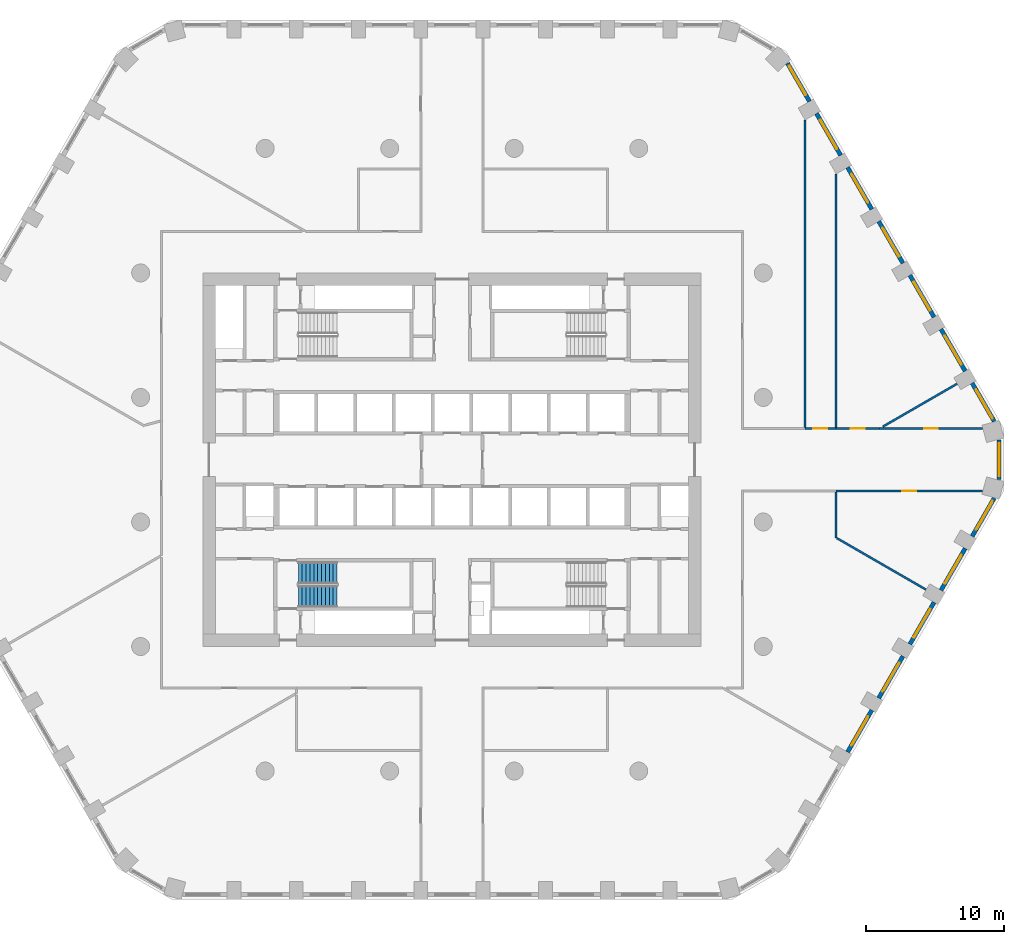
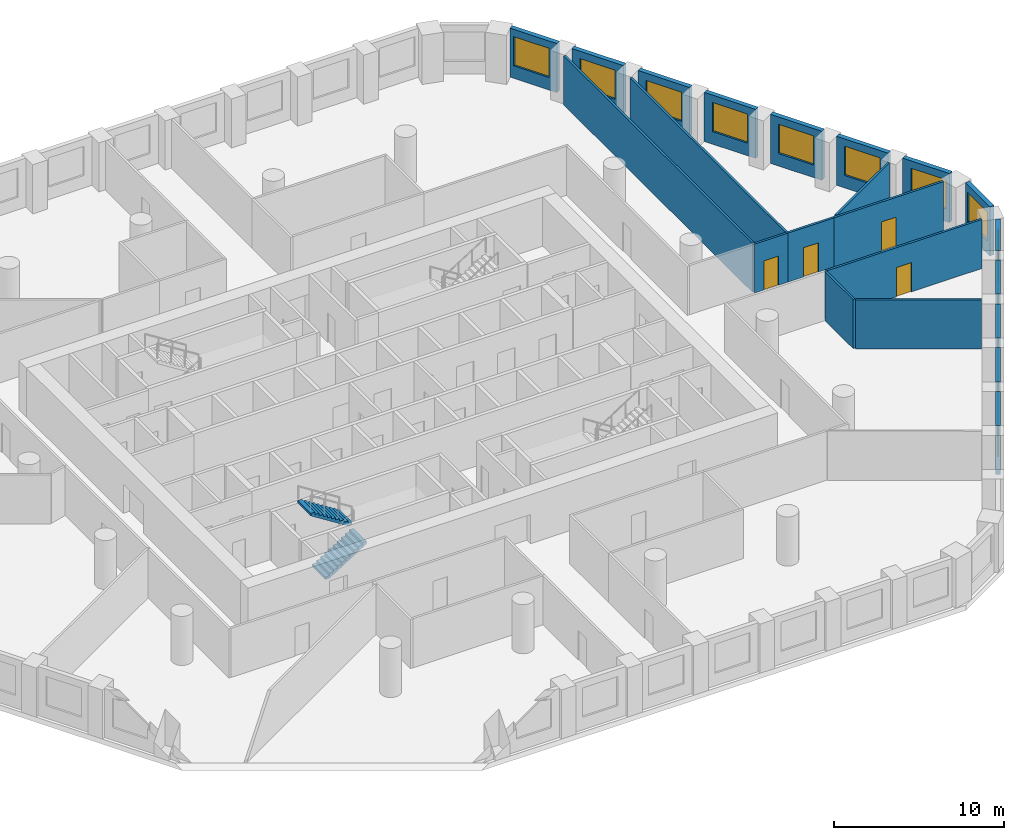
# One storey, part 8 of 10: 22 walls, 13 windows, 4 doors, 2 stair flights, 17 openings, 1 element without a shape of its own.
"""IFC4 building model written with IfcOpenShell, lengths in metres."""

from ifc_helpers import new_model, si_unit, direction, frame, frame_2d, origin, place, context, subcontext, project, spatial, polyline, rectangle, outline, extrude, material, layer, layer_set, type_object, element, fill, aggregate, save


model = new_model("IFC4")

# Units and contexts
model_context = context("Model", 3, precision=1e-05, world=origin(), true_north=direction((0.0, 1.0)))
body_context = subcontext(model_context, "Body", "Model", "MODEL_VIEW")
ifc_project = project(units=[si_unit("LENGTHUNIT", "METRE"), si_unit("AREAUNIT", "SQUARE_METRE"), si_unit("VOLUMEUNIT", "CUBIC_METRE"), si_unit("PLANEANGLEUNIT", "RADIAN"), si_unit("MASSUNIT", "GRAM", prefix="KILO")], contexts=[model_context])

# Site, building, storey
site_placement = place(None, origin())
site = spatial("IfcSite", under=ifc_project, at=site_placement, CompositionType="ELEMENT")
building_placement = place(site_placement, origin())
building = spatial("IfcBuilding", under=site, at=building_placement, Name="Dhurran Vertical Campus", CompositionType="ELEMENT")
storey_placement = place(building_placement, frame((0.0, 0.0, 85.199951171875)))
storey = spatial("IfcBuildingStorey", under=building, at=storey_placement, Name="L20", CompositionType="ELEMENT", Elevation=85.199951171875)

# Wall, opening, window
ifc_material_1 = material(Name="Precast concrete C50/60", Category="concrete")
ifc_layer_1 = layer(ifc_material_1, 0.300048828125)
ifc_layer_set_1 = layer_set([ifc_layer_1], Name="Precast concrete C50/60")
wall_type_1 = type_object("IfcWallType", Name="Precast spandrel wall 300", PredefinedType="SOLIDWALL", material=ifc_layer_set_1)
wall_1_placement = place(storey_placement, frame((28.59423828125, -21.127197265625, 0.0), z_axis=(0.0, 0.0, 1.0), x_axis=(0.499996256241, 0.866027565234, 0.0)))
wall_1 = element("IfcWall", 1, at=wall_1_placement, inside=storey, type_object=wall_type_1, Name="EW1 L20.12", PredefinedType="SOLIDWALL", context=body_context, shape_type="SweptSolid", body=[
    extrude(rectangle(XDim=3.4990234375, YDim=0.300048828125, at=frame_2d((1.74951171875, 0.0))), origin(), (0.0, 0.0, 1.0), 3.525146484375),
])
opening_1_placement = place(wall_1_placement, frame((0.549560546875, 0.0, 0.89990234375)))
opening_1 = element("IfcOpeningElement", 2, at=opening_1_placement, cuts=wall_1, Name="Opening WT1", PredefinedType="OPENING", context=body_context, shape_type="SweptSolid", body=[
    extrude(rectangle(XDim=2.39990234375, YDim=2.10009765625, at=frame_2d((1.199951171875, 1.050048828125))), frame((0.0, 0.159912109375, 0.0), z_axis=(0.0, -1.0, 0.0), x_axis=(1.0, 0.0, 0.0)), (0.0, 0.0, 1.0), 0.320068359375),
])
ifc_material_2 = material(Name="Aluminium frame with solar-control glass", Category="aluminium")
window_type = type_object("IfcWindowType", Name="Punched window 2400 x 2100", PartitioningType="SINGLE_PANEL", PredefinedType="WINDOW", material=ifc_material_2)
window_1_placement = place(opening_1_placement, origin())
window_1 = element("IfcWindow", 3, at=window_1_placement, inside=storey, type_object=window_type, Name="WT1 L20.12", OverallHeight=2.10009765625, OverallWidth=2.39990234375, PartitioningType="SINGLE_PANEL", PredefinedType="WINDOW", context=body_context, shape_type="SweptSolid", body=[
    extrude(rectangle(XDim=2.39990234375, YDim=2.10009765625, at=frame_2d((1.199951171875, 1.050048828125))), frame((0.0, 0.030029296875, 0.0), z_axis=(0.0, -1.0, 0.0), x_axis=(1.0, 0.0, 0.0)), (0.0, 0.0, 1.0), 0.06005859375),
])
fill(opening_1, window_1)

wall_2_placement = place(storey_placement, frame((30.84423828125, -17.22998046875, 0.0), z_axis=(0.0, 0.0, 1.0), x_axis=(0.499996256241, 0.866027565234, 0.0)))
wall_2 = element("IfcWall", 4, at=wall_2_placement, inside=storey, type_object=wall_type_1, Name="EW1 L20.13", PredefinedType="SOLIDWALL", context=body_context, shape_type="SweptSolid", body=[
    extrude(rectangle(XDim=3.4990234375, YDim=0.300048828125, at=frame_2d((1.74951171875, 0.0))), origin(), (0.0, 0.0, 1.0), 3.525146484375),
])
opening_2_placement = place(wall_2_placement, frame((0.549560546875, 0.0, 0.89990234375)))
opening_2 = element("IfcOpeningElement", 5, at=opening_2_placement, cuts=wall_2, Name="Opening WT1", PredefinedType="OPENING", context=body_context, shape_type="SweptSolid", body=[
    extrude(rectangle(XDim=2.39990234375, YDim=2.10009765625, at=frame_2d((1.199951171875, 1.050048828125))), frame((0.0, 0.159912109375, 0.0), z_axis=(0.0, -1.0, 0.0), x_axis=(1.0, 0.0, 0.0)), (0.0, 0.0, 1.0), 0.320068359375),
])
window_2_placement = place(opening_2_placement, origin())
window_2 = element("IfcWindow", 6, at=window_2_placement, inside=storey, type_object=window_type, Name="WT1 L20.13", OverallHeight=2.10009765625, OverallWidth=2.39990234375, PartitioningType="SINGLE_PANEL", PredefinedType="WINDOW", context=body_context, shape_type="SweptSolid", body=[
    extrude(rectangle(XDim=2.39990234375, YDim=2.10009765625, at=frame_2d((1.199951171875, 1.050048828125))), frame((0.0, 0.030029296875, 0.0), z_axis=(0.0, -1.0, 0.0), x_axis=(1.0, 0.0, 0.0)), (0.0, 0.0, 1.0), 0.06005859375),
])
fill(opening_2, window_2)

wall_3_placement = place(storey_placement, frame((33.09423828125, -13.3330078125, 0.0), z_axis=(0.0, 0.0, 1.0), x_axis=(0.499996256241, 0.866027565234, 0.0)))
wall_3 = element("IfcWall", 7, at=wall_3_placement, inside=storey, type_object=wall_type_1, Name="EW1 L20.14", PredefinedType="SOLIDWALL", context=body_context, shape_type="SweptSolid", body=[
    extrude(rectangle(XDim=3.4990234375, YDim=0.300048828125, at=frame_2d((1.74951171875, 0.0))), origin(), (0.0, 0.0, 1.0), 3.525146484375),
])
opening_3_placement = place(wall_3_placement, frame((0.549560546875, 0.0, 0.89990234375)))
opening_3 = element("IfcOpeningElement", 8, at=opening_3_placement, cuts=wall_3, Name="Opening WT1", PredefinedType="OPENING", context=body_context, shape_type="SweptSolid", body=[
    extrude(rectangle(XDim=2.39990234375, YDim=2.10009765625, at=frame_2d((1.199951171875, 1.050048828125))), frame((0.0, 0.159912109375, 0.0), z_axis=(0.0, -1.0, 0.0), x_axis=(1.0, 0.0, 0.0)), (0.0, 0.0, 1.0), 0.320068359375),
])
window_3_placement = place(opening_3_placement, origin())
window_3 = element("IfcWindow", 9, at=window_3_placement, inside=storey, type_object=window_type, Name="WT1 L20.14", OverallHeight=2.10009765625, OverallWidth=2.39990234375, PartitioningType="SINGLE_PANEL", PredefinedType="WINDOW", context=body_context, shape_type="SweptSolid", body=[
    extrude(rectangle(XDim=2.39990234375, YDim=2.10009765625, at=frame_2d((1.199951171875, 1.050048828125))), frame((0.0, 0.030029296875, 0.0), z_axis=(0.0, -1.0, 0.0), x_axis=(1.0, 0.0, 0.0)), (0.0, 0.0, 1.0), 0.06005859375),
])
fill(opening_3, window_3)

wall_4_placement = place(storey_placement, frame((35.34423828125, -9.435791015625, 0.0), z_axis=(0.0, 0.0, 1.0), x_axis=(0.499996256241, 0.866027565234, 0.0)))
wall_4 = element("IfcWall", 10, at=wall_4_placement, inside=storey, type_object=wall_type_1, Name="EW1 L20.15", PredefinedType="SOLIDWALL", context=body_context, shape_type="SweptSolid", body=[
    extrude(rectangle(XDim=3.4990234375, YDim=0.300048828125, at=frame_2d((1.74951171875, 0.0))), origin(), (0.0, 0.0, 1.0), 3.525146484375),
])
opening_4_placement = place(wall_4_placement, frame((0.549560546875, 0.0, 0.89990234375)))
opening_4 = element("IfcOpeningElement", 11, at=opening_4_placement, cuts=wall_4, Name="Opening WT1", PredefinedType="OPENING", context=body_context, shape_type="SweptSolid", body=[
    extrude(rectangle(XDim=2.39990234375, YDim=2.10009765625, at=frame_2d((1.199951171875, 1.050048828125))), frame((0.0, 0.159912109375, 0.0), z_axis=(0.0, -1.0, 0.0), x_axis=(1.0, 0.0, 0.0)), (0.0, 0.0, 1.0), 0.320068359375),
])
window_4_placement = place(opening_4_placement, origin())
window_4 = element("IfcWindow", 12, at=window_4_placement, inside=storey, type_object=window_type, Name="WT1 L20.15", OverallHeight=2.10009765625, OverallWidth=2.39990234375, PartitioningType="SINGLE_PANEL", PredefinedType="WINDOW", context=body_context, shape_type="SweptSolid", body=[
    extrude(rectangle(XDim=2.39990234375, YDim=2.10009765625, at=frame_2d((1.199951171875, 1.050048828125))), frame((0.0, 0.030029296875, 0.0), z_axis=(0.0, -1.0, 0.0), x_axis=(1.0, 0.0, 0.0)), (0.0, 0.0, 1.0), 0.06005859375),
])
fill(opening_4, window_4)

wall_5_placement = place(storey_placement, frame((37.59423828125, -5.538818359375, 0.0), z_axis=(0.0, 0.0, 1.0), x_axis=(0.500004907028, 0.866022570692, 0.0)))
wall_5 = element("IfcWall", 13, at=wall_5_placement, inside=storey, type_object=wall_type_1, Name="EW1 L20.16", PredefinedType="SOLIDWALL", context=body_context, shape_type="SweptSolid", body=[
    extrude(rectangle(XDim=3.1923828125, YDim=0.300048828125, at=frame_2d((1.59619140625, 0.0))), origin(), (0.0, 0.0, 1.0), 3.525146484375),
])
opening_5_placement = place(wall_5_placement, frame((0.549560546875, 0.0, 0.89990234375)))
opening_5 = element("IfcOpeningElement", 14, at=opening_5_placement, cuts=wall_5, Name="Opening WT1", PredefinedType="OPENING", context=body_context, shape_type="SweptSolid", body=[
    extrude(rectangle(XDim=2.39990234375, YDim=2.10009765625, at=frame_2d((1.199951171875, 1.050048828125))), frame((0.0, 0.159912109375, 0.0), z_axis=(0.0, -1.0, 0.0), x_axis=(1.0, 0.0, 0.0)), (0.0, 0.0, 1.0), 0.320068359375),
])
window_5_placement = place(opening_5_placement, origin())
window_5 = element("IfcWindow", 15, at=window_5_placement, inside=storey, type_object=window_type, Name="WT1 L20.16", OverallHeight=2.10009765625, OverallWidth=2.39990234375, PartitioningType="SINGLE_PANEL", PredefinedType="WINDOW", context=body_context, shape_type="SweptSolid", body=[
    extrude(rectangle(XDim=2.39990234375, YDim=2.10009765625, at=frame_2d((1.199951171875, 1.050048828125))), frame((0.0, 0.030029296875, 0.0), z_axis=(0.0, -1.0, 0.0), x_axis=(1.0, 0.0, 0.0)), (0.0, 0.0, 1.0), 0.06005859375),
])
fill(opening_5, window_5)

wall_6_placement = place(storey_placement, frame((39.547119140625, -1.44287109375, 0.0), z_axis=(0.0, 0.0, 1.0), x_axis=(0.0, 1.0, 0.0)))
wall_6 = element("IfcWall", 16, at=wall_6_placement, inside=storey, type_object=wall_type_1, Name="EW1 L20.17", PredefinedType="SOLIDWALL", context=body_context, shape_type="SweptSolid", body=[
    extrude(rectangle(XDim=2.8857421875, YDim=0.300048828125, at=frame_2d((1.44287109375, 0.0))), origin(), (0.0, 0.0, 1.0), 3.525146484375),
])
opening_6_placement = place(wall_6_placement, frame((0.242919921875, 0.0, 0.89990234375)))
opening_6 = element("IfcOpeningElement", 17, at=opening_6_placement, cuts=wall_6, Name="Opening WT1", PredefinedType="OPENING", context=body_context, shape_type="SweptSolid", body=[
    extrude(rectangle(XDim=2.39990234375, YDim=2.10009765625, at=frame_2d((1.199951171875, 1.050048828125))), frame((0.0, 0.159912109375, 0.0), z_axis=(0.0, -1.0, 0.0), x_axis=(1.0, 0.0, 0.0)), (0.0, 0.0, 1.0), 0.320068359375),
])
window_6_placement = place(opening_6_placement, origin())
window_6 = element("IfcWindow", 18, at=window_6_placement, inside=storey, type_object=window_type, Name="WT1 L20.17", OverallHeight=2.10009765625, OverallWidth=2.39990234375, PartitioningType="SINGLE_PANEL", PredefinedType="WINDOW", context=body_context, shape_type="SweptSolid", body=[
    extrude(rectangle(XDim=2.39990234375, YDim=2.10009765625, at=frame_2d((1.199951171875, 1.050048828125))), frame((0.0, 0.030029296875, 0.0), z_axis=(0.0, -1.0, 0.0), x_axis=(1.0, 0.0, 0.0)), (0.0, 0.0, 1.0), 0.06005859375),
])
fill(opening_6, window_6)

wall_7_placement = place(storey_placement, frame((39.1904296875, 2.774169921875, 0.0), z_axis=(0.0, 0.0, 1.0), x_axis=(-0.500004907028, 0.866022570692, 0.0)))
wall_7 = element("IfcWall", 19, at=wall_7_placement, inside=storey, type_object=wall_type_1, Name="EW1 L20.18", PredefinedType="SOLIDWALL", context=body_context, shape_type="SweptSolid", body=[
    extrude(rectangle(XDim=3.1923828125, YDim=0.300048828125, at=frame_2d((1.59619140625, 0.0))), origin(), (0.0, 0.0, 1.0), 3.525146484375),
])
opening_7_placement = place(wall_7_placement, frame((0.242919921875, 0.0, 0.89990234375)))
opening_7 = element("IfcOpeningElement", 20, at=opening_7_placement, cuts=wall_7, Name="Opening WT1", PredefinedType="OPENING", context=body_context, shape_type="SweptSolid", body=[
    extrude(rectangle(XDim=2.39990234375, YDim=2.10009765625, at=frame_2d((1.199951171875, 1.050048828125))), frame((0.0, 0.159912109375, 0.0), z_axis=(0.0, -1.0, 0.0), x_axis=(1.0, 0.0, 0.0)), (0.0, 0.0, 1.0), 0.320068359375),
])
window_7_placement = place(opening_7_placement, origin())
window_7 = element("IfcWindow", 21, at=window_7_placement, inside=storey, type_object=window_type, Name="WT1 L20.18", OverallHeight=2.10009765625, OverallWidth=2.39990234375, PartitioningType="SINGLE_PANEL", PredefinedType="WINDOW", context=body_context, shape_type="SweptSolid", body=[
    extrude(rectangle(XDim=2.39990234375, YDim=2.10009765625, at=frame_2d((1.199951171875, 1.050048828125))), frame((0.0, 0.030029296875, 0.0), z_axis=(0.0, -1.0, 0.0), x_axis=(1.0, 0.0, 0.0)), (0.0, 0.0, 1.0), 0.06005859375),
])
fill(opening_7, window_7)

wall_8_placement = place(storey_placement, frame((37.09375, 6.405517578125, 0.0), z_axis=(0.0, 0.0, 1.0), x_axis=(-0.499996256241, 0.866027565234, 0.0)))
wall_8 = element("IfcWall", 22, at=wall_8_placement, inside=storey, type_object=wall_type_1, Name="EW1 L20.19", PredefinedType="SOLIDWALL", context=body_context, shape_type="SweptSolid", body=[
    extrude(rectangle(XDim=3.4990234375, YDim=0.300048828125, at=frame_2d((1.74951171875, 0.0))), origin(), (0.0, 0.0, 1.0), 3.525146484375),
])
opening_8_placement = place(wall_8_placement, frame((0.549560546875, 0.0, 0.89990234375)))
opening_8 = element("IfcOpeningElement", 23, at=opening_8_placement, cuts=wall_8, Name="Opening WT1", PredefinedType="OPENING", context=body_context, shape_type="SweptSolid", body=[
    extrude(rectangle(XDim=2.39990234375, YDim=2.10009765625, at=frame_2d((1.199951171875, 1.050048828125))), frame((0.0, 0.159912109375, 0.0), z_axis=(0.0, -1.0, 0.0), x_axis=(1.0, 0.0, 0.0)), (0.0, 0.0, 1.0), 0.320068359375),
])
window_8_placement = place(opening_8_placement, origin())
window_8 = element("IfcWindow", 24, at=window_8_placement, inside=storey, type_object=window_type, Name="WT1 L20.19", OverallHeight=2.10009765625, OverallWidth=2.39990234375, PartitioningType="SINGLE_PANEL", PredefinedType="WINDOW", context=body_context, shape_type="SweptSolid", body=[
    extrude(rectangle(XDim=2.39990234375, YDim=2.10009765625, at=frame_2d((1.199951171875, 1.050048828125))), frame((0.0, 0.030029296875, 0.0), z_axis=(0.0, -1.0, 0.0), x_axis=(1.0, 0.0, 0.0)), (0.0, 0.0, 1.0), 0.06005859375),
])
fill(opening_8, window_8)

wall_9_placement = place(storey_placement, frame((34.84375, 10.302734375, 0.0), z_axis=(0.0, 0.0, 1.0), x_axis=(-0.499996256241, 0.866027565234, 0.0)))
wall_9 = element("IfcWall", 25, at=wall_9_placement, inside=storey, type_object=wall_type_1, Name="EW1 L20.20", PredefinedType="SOLIDWALL", context=body_context, shape_type="SweptSolid", body=[
    extrude(rectangle(XDim=3.4990234375, YDim=0.300048828125, at=frame_2d((1.74951171875, 0.0))), origin(), (0.0, 0.0, 1.0), 3.525146484375),
])
opening_9_placement = place(wall_9_placement, frame((0.549560546875, 0.0, 0.89990234375)))
opening_9 = element("IfcOpeningElement", 26, at=opening_9_placement, cuts=wall_9, Name="Opening WT1", PredefinedType="OPENING", context=body_context, shape_type="SweptSolid", body=[
    extrude(rectangle(XDim=2.39990234375, YDim=2.10009765625, at=frame_2d((1.199951171875, 1.050048828125))), frame((0.0, 0.159912109375, 0.0), z_axis=(0.0, -1.0, 0.0), x_axis=(1.0, 0.0, 0.0)), (0.0, 0.0, 1.0), 0.320068359375),
])
window_9_placement = place(opening_9_placement, origin())
window_9 = element("IfcWindow", 27, at=window_9_placement, inside=storey, type_object=window_type, Name="WT1 L20.20", OverallHeight=2.10009765625, OverallWidth=2.39990234375, PartitioningType="SINGLE_PANEL", PredefinedType="WINDOW", context=body_context, shape_type="SweptSolid", body=[
    extrude(rectangle(XDim=2.39990234375, YDim=2.10009765625, at=frame_2d((1.199951171875, 1.050048828125))), frame((0.0, 0.030029296875, 0.0), z_axis=(0.0, -1.0, 0.0), x_axis=(1.0, 0.0, 0.0)), (0.0, 0.0, 1.0), 0.06005859375),
])
fill(opening_9, window_9)

wall_10_placement = place(storey_placement, frame((32.59375, 14.19970703125, 0.0), z_axis=(0.0, 0.0, 1.0), x_axis=(-0.499996256241, 0.866027565234, 0.0)))
wall_10 = element("IfcWall", 28, at=wall_10_placement, inside=storey, type_object=wall_type_1, Name="EW1 L20.21", PredefinedType="SOLIDWALL", context=body_context, shape_type="SweptSolid", body=[
    extrude(rectangle(XDim=3.4990234375, YDim=0.300048828125, at=frame_2d((1.74951171875, 0.0))), origin(), (0.0, 0.0, 1.0), 3.525146484375),
])
opening_10_placement = place(wall_10_placement, frame((0.549560546875, 0.0, 0.89990234375)))
opening_10 = element("IfcOpeningElement", 29, at=opening_10_placement, cuts=wall_10, Name="Opening WT1", PredefinedType="OPENING", context=body_context, shape_type="SweptSolid", body=[
    extrude(rectangle(XDim=2.39990234375, YDim=2.10009765625, at=frame_2d((1.199951171875, 1.050048828125))), frame((0.0, 0.159912109375, 0.0), z_axis=(0.0, -1.0, 0.0), x_axis=(1.0, 0.0, 0.0)), (0.0, 0.0, 1.0), 0.320068359375),
])
window_10_placement = place(opening_10_placement, origin())
window_10 = element("IfcWindow", 30, at=window_10_placement, inside=storey, type_object=window_type, Name="WT1 L20.21", OverallHeight=2.10009765625, OverallWidth=2.39990234375, PartitioningType="SINGLE_PANEL", PredefinedType="WINDOW", context=body_context, shape_type="SweptSolid", body=[
    extrude(rectangle(XDim=2.39990234375, YDim=2.10009765625, at=frame_2d((1.199951171875, 1.050048828125))), frame((0.0, 0.030029296875, 0.0), z_axis=(0.0, -1.0, 0.0), x_axis=(1.0, 0.0, 0.0)), (0.0, 0.0, 1.0), 0.06005859375),
])
fill(opening_10, window_10)

wall_11_placement = place(storey_placement, frame((30.34375, 18.096923828125, 0.0), z_axis=(0.0, 0.0, 1.0), x_axis=(-0.499996256241, 0.866027565234, 0.0)))
wall_11 = element("IfcWall", 31, at=wall_11_placement, inside=storey, type_object=wall_type_1, Name="EW1 L20.22", PredefinedType="SOLIDWALL", context=body_context, shape_type="SweptSolid", body=[
    extrude(rectangle(XDim=3.4990234375, YDim=0.300048828125, at=frame_2d((1.74951171875, 0.0))), origin(), (0.0, 0.0, 1.0), 3.525146484375),
])
opening_11_placement = place(wall_11_placement, frame((0.549560546875, 0.0, 0.89990234375)))
opening_11 = element("IfcOpeningElement", 32, at=opening_11_placement, cuts=wall_11, Name="Opening WT1", PredefinedType="OPENING", context=body_context, shape_type="SweptSolid", body=[
    extrude(rectangle(XDim=2.39990234375, YDim=2.10009765625, at=frame_2d((1.199951171875, 1.050048828125))), frame((0.0, 0.159912109375, 0.0), z_axis=(0.0, -1.0, 0.0), x_axis=(1.0, 0.0, 0.0)), (0.0, 0.0, 1.0), 0.320068359375),
])
window_11_placement = place(opening_11_placement, origin())
window_11 = element("IfcWindow", 33, at=window_11_placement, inside=storey, type_object=window_type, Name="WT1 L20.22", OverallHeight=2.10009765625, OverallWidth=2.39990234375, PartitioningType="SINGLE_PANEL", PredefinedType="WINDOW", context=body_context, shape_type="SweptSolid", body=[
    extrude(rectangle(XDim=2.39990234375, YDim=2.10009765625, at=frame_2d((1.199951171875, 1.050048828125))), frame((0.0, 0.030029296875, 0.0), z_axis=(0.0, -1.0, 0.0), x_axis=(1.0, 0.0, 0.0)), (0.0, 0.0, 1.0), 0.06005859375),
])
fill(opening_11, window_11)

wall_12_placement = place(storey_placement, frame((28.09375, 21.993896484375, 0.0), z_axis=(0.0, 0.0, 1.0), x_axis=(-0.499996256241, 0.866027565234, 0.0)))
wall_12 = element("IfcWall", 34, at=wall_12_placement, inside=storey, type_object=wall_type_1, Name="EW1 L20.23", PredefinedType="SOLIDWALL", context=body_context, shape_type="SweptSolid", body=[
    extrude(rectangle(XDim=3.4990234375, YDim=0.300048828125, at=frame_2d((1.74951171875, 0.0))), origin(), (0.0, 0.0, 1.0), 3.525146484375),
])
opening_12_placement = place(wall_12_placement, frame((0.549560546875, 0.0, 0.89990234375)))
opening_12 = element("IfcOpeningElement", 35, at=opening_12_placement, cuts=wall_12, Name="Opening WT1", PredefinedType="OPENING", context=body_context, shape_type="SweptSolid", body=[
    extrude(rectangle(XDim=2.39990234375, YDim=2.10009765625, at=frame_2d((1.199951171875, 1.050048828125))), frame((0.0, 0.159912109375, 0.0), z_axis=(0.0, -1.0, 0.0), x_axis=(1.0, 0.0, 0.0)), (0.0, 0.0, 1.0), 0.320068359375),
])
window_12_placement = place(opening_12_placement, origin())
window_12 = element("IfcWindow", 36, at=window_12_placement, inside=storey, type_object=window_type, Name="WT1 L20.23", OverallHeight=2.10009765625, OverallWidth=2.39990234375, PartitioningType="SINGLE_PANEL", PredefinedType="WINDOW", context=body_context, shape_type="SweptSolid", body=[
    extrude(rectangle(XDim=2.39990234375, YDim=2.10009765625, at=frame_2d((1.199951171875, 1.050048828125))), frame((0.0, 0.030029296875, 0.0), z_axis=(0.0, -1.0, 0.0), x_axis=(1.0, 0.0, 0.0)), (0.0, 0.0, 1.0), 0.06005859375),
])
fill(opening_12, window_12)

wall_13_placement = place(storey_placement, frame((25.84375, 25.89111328125, 0.0), z_axis=(0.0, 0.0, 1.0), x_axis=(-0.500004907028, 0.866022570692, 0.0)))
wall_13 = element("IfcWall", 37, at=wall_13_placement, inside=storey, type_object=wall_type_1, Name="EW1 L20.24", PredefinedType="SOLIDWALL", context=body_context, shape_type="SweptSolid", body=[
    extrude(rectangle(XDim=3.1923828125, YDim=0.300048828125, at=frame_2d((1.59619140625, 0.0))), origin(), (0.0, 0.0, 1.0), 3.525146484375),
])
opening_13_placement = place(wall_13_placement, frame((0.549560546875, 0.0, 0.89990234375)))
opening_13 = element("IfcOpeningElement", 38, at=opening_13_placement, cuts=wall_13, Name="Opening WT1", PredefinedType="OPENING", context=body_context, shape_type="SweptSolid", body=[
    extrude(rectangle(XDim=2.39990234375, YDim=2.10009765625, at=frame_2d((1.199951171875, 1.050048828125))), frame((0.0, 0.159912109375, 0.0), z_axis=(0.0, -1.0, 0.0), x_axis=(1.0, 0.0, 0.0)), (0.0, 0.0, 1.0), 0.320068359375),
])
window_13_placement = place(opening_13_placement, origin())
window_13 = element("IfcWindow", 39, at=window_13_placement, inside=storey, type_object=window_type, Name="WT1 L20.24", OverallHeight=2.10009765625, OverallWidth=2.39990234375, PartitioningType="SINGLE_PANEL", PredefinedType="WINDOW", context=body_context, shape_type="SweptSolid", body=[
    extrude(rectangle(XDim=2.39990234375, YDim=2.10009765625, at=frame_2d((1.199951171875, 1.050048828125))), frame((0.0, 0.030029296875, 0.0), z_axis=(0.0, -1.0, 0.0), x_axis=(1.0, 0.0, 0.0)), (0.0, 0.0, 1.0), 0.06005859375),
])
fill(opening_13, window_13)

# Wall, opening, door
ifc_material_3 = material(Name="Gypsum board corridor wall on steel studs", Category="steel")
ifc_layer_2 = layer(ifc_material_3, 0.14990234375)
ifc_layer_set_2 = layer_set([ifc_layer_2], Name="Gypsum board corridor wall on steel studs")
wall_type_2 = type_object("IfcWallType", Name="fl-CW-150 corridor wall", PredefinedType="PARTITIONING", material=ifc_layer_set_2)
wall_14_placement = place(storey_placement, frame((25.5, 2.25, 0.0), z_axis=(0.0, 0.0, 1.0), x_axis=(1.0, 0.0, 0.0)))
wall_14 = element("IfcWall", 40, at=wall_14_placement, inside=storey, type_object=wall_type_2, Name="Partition 20-42", PredefinedType="PARTITIONING", context=body_context, shape_type="SweptSolid", body=[
    extrude(rectangle(XDim=2.25, YDim=0.14990234375, at=frame_2d((1.125, 0.0))), origin(), (0.0, 0.0, 1.0), 3.525146484375),
])
opening_14_placement = place(wall_14_placement, frame((0.625, 0.0, 0.0)))
opening_14 = element("IfcOpeningElement", 41, at=opening_14_placement, cuts=wall_14, Name="Opening T05.13", PredefinedType="OPENING", context=body_context, shape_type="SweptSolid", body=[
    extrude(rectangle(XDim=1.0, YDim=2.10009765625, at=frame_2d((0.5, 1.050048828125))), frame((0.0, 0.0849609375, 0.0), z_axis=(0.0, -1.0, 0.0), x_axis=(1.0, 0.0, 0.0)), (0.0, 0.0, 1.0), 0.169921875),
])
ifc_material_4 = material(Name="Solid-core timber door set, fire-rated", Category="wood")
door_type = type_object("IfcDoorType", Name="fl-D-1000x2100", OperationType="SINGLE_SWING_LEFT", PredefinedType="DOOR", material=ifc_material_4)
door_1_placement = place(opening_14_placement, origin())
door_1 = element("IfcDoor", 42, at=door_1_placement, inside=storey, type_object=door_type, Name="Door 20.13", OperationType="SINGLE_SWING_LEFT", OverallHeight=2.10009765625, OverallWidth=1.0, PredefinedType="DOOR", context=body_context, shape_type="SweptSolid", body=[
    extrude(rectangle(XDim=1.0, YDim=2.10009765625, at=frame_2d((0.5, 1.050048828125))), frame((0.0, 0.02490234375, 0.0), z_axis=(0.0, -1.0, 0.0), x_axis=(1.0, 0.0, 0.0)), (0.0, 0.0, 1.0), 0.050048828125),
])
fill(opening_14, door_1)

wall_15_placement = place(storey_placement, frame((38.35009765625, -2.25, 0.0), z_axis=(0.0, 0.0, 1.0), x_axis=(-1.0, 0.0, 0.0)))
wall_15 = element("IfcWall", 43, at=wall_15_placement, inside=storey, type_object=wall_type_2, Name="Partition 20-45", PredefinedType="PARTITIONING", context=body_context, shape_type="SweptSolid", body=[
    extrude(rectangle(XDim=10.60009765625, YDim=0.14990234375, at=frame_2d((5.300048828125, 0.0))), origin(), (0.0, 0.0, 1.0), 3.525146484375),
])
opening_15_placement = place(wall_15_placement, frame((4.800048828125, 0.0, 0.0)))
opening_15 = element("IfcOpeningElement", 44, at=opening_15_placement, cuts=wall_15, Name="Opening T05.15", PredefinedType="OPENING", context=body_context, shape_type="SweptSolid", body=[
    extrude(rectangle(XDim=1.0, YDim=2.10009765625, at=frame_2d((0.5, 1.050048828125))), frame((0.0, 0.0849609375, 0.0), z_axis=(0.0, -1.0, 0.0), x_axis=(1.0, 0.0, 0.0)), (0.0, 0.0, 1.0), 0.169921875),
])
door_2_placement = place(opening_15_placement, origin())
door_2 = element("IfcDoor", 45, at=door_2_placement, inside=storey, type_object=door_type, Name="Door 20.15", OperationType="SINGLE_SWING_LEFT", OverallHeight=2.10009765625, OverallWidth=1.0, PredefinedType="DOOR", context=body_context, shape_type="SweptSolid", body=[
    extrude(rectangle(XDim=1.0, YDim=2.10009765625, at=frame_2d((0.5, 1.050048828125))), frame((0.0, 0.02490234375, 0.0), z_axis=(0.0, -1.0, 0.0), x_axis=(1.0, 0.0, 0.0)), (0.0, 0.0, 1.0), 0.050048828125),
])
fill(opening_15, door_2)

wall_16_placement = place(storey_placement, frame((27.75, 2.25, 0.0), z_axis=(0.0, 0.0, 1.0), x_axis=(1.0, 0.0, 0.0)))
wall_16 = element("IfcWall", 46, at=wall_16_placement, inside=storey, type_object=wall_type_2, Name="Partition 20-47", PredefinedType="PARTITIONING", context=body_context, shape_type="SweptSolid", body=[
    extrude(rectangle(XDim=3.14697265625, YDim=0.14990234375, at=frame_2d((1.573486328125, 0.0))), origin(), (0.0, 0.0, 1.0), 3.525146484375),
])
opening_16_placement = place(wall_16_placement, frame((1.073486328125, 0.0, 0.0)))
opening_16 = element("IfcOpeningElement", 47, at=opening_16_placement, cuts=wall_16, Name="Opening T05.14", PredefinedType="OPENING", context=body_context, shape_type="SweptSolid", body=[
    extrude(rectangle(XDim=1.0, YDim=2.10009765625, at=frame_2d((0.5, 1.050048828125))), frame((0.0, 0.0849609375, 0.0), z_axis=(0.0, -1.0, 0.0), x_axis=(1.0, 0.0, 0.0)), (0.0, 0.0, 1.0), 0.169921875),
])
door_3_placement = place(opening_16_placement, origin())
door_3 = element("IfcDoor", 48, at=door_3_placement, inside=storey, type_object=door_type, Name="Door 20.14", OperationType="SINGLE_SWING_RIGHT", OverallHeight=2.10009765625, OverallWidth=1.0, PredefinedType="DOOR", context=body_context, shape_type="SweptSolid", body=[
    extrude(rectangle(XDim=1.0, YDim=2.10009765625, at=frame_2d((0.5, 1.050048828125))), frame((0.0, 0.02490234375, 0.0), z_axis=(0.0, -1.0, 0.0), x_axis=(1.0, 0.0, 0.0)), (0.0, 0.0, 1.0), 0.050048828125),
])
fill(opening_16, door_3)

wall_17_placement = place(storey_placement, frame((30.89697265625, 2.25, 0.0), z_axis=(0.0, 0.0, 1.0), x_axis=(1.0, 0.0, 0.0)))
wall_17 = element("IfcWall", 49, at=wall_17_placement, inside=storey, type_object=wall_type_2, Name="Partition 20-49", PredefinedType="PARTITIONING", context=body_context, shape_type="SweptSolid", body=[
    extrude(rectangle(XDim=7.453125, YDim=0.14990234375, at=frame_2d((3.7265625, 0.0))), origin(), (0.0, 0.0, 1.0), 3.525146484375),
])
opening_17_placement = place(wall_17_placement, frame((3.2265625, 0.0, 0.0)))
opening_17 = element("IfcOpeningElement", 50, at=opening_17_placement, cuts=wall_17, Name="Opening T05.16", PredefinedType="OPENING", context=body_context, shape_type="SweptSolid", body=[
    extrude(rectangle(XDim=1.0, YDim=2.10009765625, at=frame_2d((0.5, 1.050048828125))), frame((0.0, 0.0849609375, 0.0), z_axis=(0.0, -1.0, 0.0), x_axis=(1.0, 0.0, 0.0)), (0.0, 0.0, 1.0), 0.169921875),
])
door_4_placement = place(opening_17_placement, origin())
door_4 = element("IfcDoor", 51, at=door_4_placement, inside=storey, type_object=door_type, Name="Door 20.16", OperationType="SINGLE_SWING_RIGHT", OverallHeight=2.10009765625, OverallWidth=1.0, PredefinedType="DOOR", context=body_context, shape_type="SweptSolid", body=[
    extrude(rectangle(XDim=1.0, YDim=2.10009765625, at=frame_2d((0.5, 1.050048828125))), frame((0.0, 0.02490234375, 0.0), z_axis=(0.0, -1.0, 0.0), x_axis=(1.0, 0.0, 0.0)), (0.0, 0.0, 1.0), 0.050048828125),
])
fill(opening_17, door_4)

# Walls
ifc_material_5 = material(Name="Gypsum board partition on steel studs", Category="steel")
ifc_layer_3 = layer(ifc_material_5, 0.14990234375)
ifc_layer_set_3 = layer_set([ifc_layer_3], Name="Gypsum board partition on steel studs")
wall_type_3 = type_object("IfcWallType", Name="fl-PW-150 fixed partition", PredefinedType="PARTITIONING", material=ifc_layer_set_3)
wall_18_placement = place(storey_placement, frame((25.5, 24.546630859375, 0.0), z_axis=(0.0, 0.0, 1.0), x_axis=(0.0, -1.0, 0.0)))
element("IfcWall", 52, at=wall_18_placement, inside=storey, type_object=wall_type_3, Name="Partition 20-41", PredefinedType="PARTITIONING", context=body_context, shape_type="SweptSolid", body=[
    extrude(rectangle(XDim=22.2216796875, YDim=0.14990234375, at=frame_2d((11.11083984375, 0.0))), origin(), (0.0, 0.0, 1.0), 3.525146484375),
])
wall_19_placement = place(storey_placement, frame((27.75, -2.324951171875, 0.0), z_axis=(0.0, 0.0, 1.0), x_axis=(0.0, -1.0, 0.0)))
element("IfcWall", 53, at=wall_19_placement, inside=storey, type_object=wall_type_3, Name="Partition 20-43", PredefinedType="PARTITIONING", context=body_context, shape_type="SweptSolid", body=[
    extrude(rectangle(XDim=3.3291015625, YDim=0.14990234375, at=frame_2d((1.66455078125, 0.0))), origin(), (0.0, 0.0, 1.0), 3.525146484375),
])
wall_20_placement = place(storey_placement, frame((27.81494140625, -5.66650390625, 0.0), z_axis=(0.0, 0.0, 1.0), x_axis=(0.86601169699, -0.500023740114, 0.0)))
element("IfcWall", 54, at=wall_20_placement, inside=storey, type_object=wall_type_3, Name="Partition 20-44", PredefinedType="PARTITIONING", context=body_context, shape_type="SweptSolid", body=[
    extrude(rectangle(XDim=7.435302734375, YDim=0.14990234375, at=frame_2d((3.7177734375, 0.0))), origin(), (0.0, 0.0, 1.0), 3.525146484375),
])
wall_21_placement = place(storey_placement, frame((27.75, 20.6494140625, 0.0), z_axis=(0.0, 0.0, 1.0), x_axis=(0.0, -1.0, 0.0)))
element("IfcWall", 55, at=wall_21_placement, inside=storey, type_object=wall_type_3, Name="Partition 20-46", PredefinedType="PARTITIONING", context=body_context, shape_type="SweptSolid", body=[
    extrude(rectangle(XDim=18.324462890625, YDim=0.14990234375, at=frame_2d((9.162109375, 0.0))), origin(), (0.0, 0.0, 1.0), 3.525146484375),
])
wall_22_placement = place(storey_placement, frame((36.50390625, 5.4873046875, 0.0), z_axis=(0.0, 0.0, 1.0), x_axis=(-0.866007197923, -0.500031532152, 0.0)))
element("IfcWall", 56, at=wall_22_placement, inside=storey, type_object=wall_type_3, Name="Partition 20-48", PredefinedType="PARTITIONING", context=body_context, shape_type="SweptSolid", body=[
    extrude(rectangle(XDim=6.19921875, YDim=0.14990234375, at=frame_2d((3.099609375, 0.0))), origin(), (0.0, 0.0, 1.0), 3.525146484375),
])

# Stair, stair flights
ifc_material_6 = material(Name="Concrete C40/50", Category="concrete")
stair_type = type_object("IfcStairType", Name="co-ST-CORE", PredefinedType="HALF_TURN_STAIR", material=ifc_material_6)
stair_placement = place(storey_placement, origin())
stair = element("IfcStair", 57, at=stair_placement, inside=storey, type_object=stair_type, Name="L20 Protected exit stair ST3", PredefinedType="HALF_TURN_STAIR")
ifc_material_7 = material(Name="Concrete C40/50", Category="concrete")
stair_flight_type = type_object("IfcStairFlightType", Name="co-SFL-RC", PredefinedType="STRAIGHT", material=ifc_material_7)
stair_flight_1_placement = place(storey_placement, frame((-11.10009765625, -9.875, 0.0), z_axis=(0.0, 0.0, 1.0), x_axis=(1.0, 0.0, 0.0)))
stair_flight_1 = element("IfcStairFlight", 58, at=stair_flight_1_placement, type_object=stair_flight_type, Name="ST3 flight 1", NumberOfRisers=11, NumberOfTreads=10, PredefinedType="STRAIGHT", RiserHeight=0.177272727, TreadLength=0.28, context=body_context, shape_type="SweptSolid", body=[
    extrude(outline(polyline([(0.0, 0.0), (0.0, 0.17724609375), (0.280029296875, 0.17724609375), (0.280029296875, 0.3544921875), (0.56005859375, 0.3544921875), (0.56005859375, 0.53173828125), (0.840087890625, 0.53173828125), (0.840087890625, 0.708984375), (1.1201171875, 0.708984375), (1.1201171875, 0.886474609375), (1.39990234375, 0.886474609375), (1.39990234375, 1.063720703125), (1.679931640625, 1.063720703125), (1.679931640625, 1.240966796875), (1.9599609375, 1.240966796875), (1.9599609375, 1.418212890625), (2.239990234375, 1.418212890625), (2.239990234375, 1.595458984375), (2.52001953125, 1.595458984375), (2.52001953125, 1.772705078125), (2.800048828125, 1.772705078125), (2.800048828125, 1.949951171875), (2.800048828125, 1.59521484375), (0.2802734375, 0.0), (0.0, 0.0)])), frame((0.0, 0.77490234375, 0.0), z_axis=(0.0, -1.0, 0.0), x_axis=(1.0, 0.0, 0.0)), (0.0, 0.0, 1.0), 1.550048828125),
])
stair_flight_2_placement = place(storey_placement, frame((-8.300048828125, -8.175048828125, 1.949951171875), z_axis=(0.0, 0.0, 1.0), x_axis=(-1.0, 0.0, 0.0)))
stair_flight_2 = element("IfcStairFlight", 59, at=stair_flight_2_placement, type_object=stair_flight_type, Name="ST3 flight 2", NumberOfRisers=11, NumberOfTreads=10, PredefinedType="STRAIGHT", RiserHeight=0.177272727, TreadLength=0.28, context=body_context, shape_type="SweptSolid", body=[
    extrude(outline(polyline([(0.0, 0.0), (0.0, 0.17724609375), (0.280029296875, 0.17724609375), (0.280029296875, 0.3544921875), (0.56005859375, 0.3544921875), (0.56005859375, 0.53173828125), (0.840087890625, 0.53173828125), (0.840087890625, 0.708984375), (1.1201171875, 0.708984375), (1.1201171875, 0.886474609375), (1.39990234375, 0.886474609375), (1.39990234375, 1.063720703125), (1.679931640625, 1.063720703125), (1.679931640625, 1.240966796875), (1.9599609375, 1.240966796875), (1.9599609375, 1.418212890625), (2.239990234375, 1.418212890625), (2.239990234375, 1.595458984375), (2.52001953125, 1.595458984375), (2.52001953125, 1.772705078125), (2.800048828125, 1.772705078125), (2.800048828125, 1.949951171875), (2.800048828125, 1.59521484375), (0.2802734375, 0.0), (0.0, 0.0)])), frame((0.0, 0.77490234375, 0.0), z_axis=(0.0, -1.0, 0.0), x_axis=(1.0, 0.0, 0.0)), (0.0, 0.0, 1.0), 1.550048828125),
])
aggregate(stair, [stair_flight_1, stair_flight_2])

save(model, "model.ifc")
